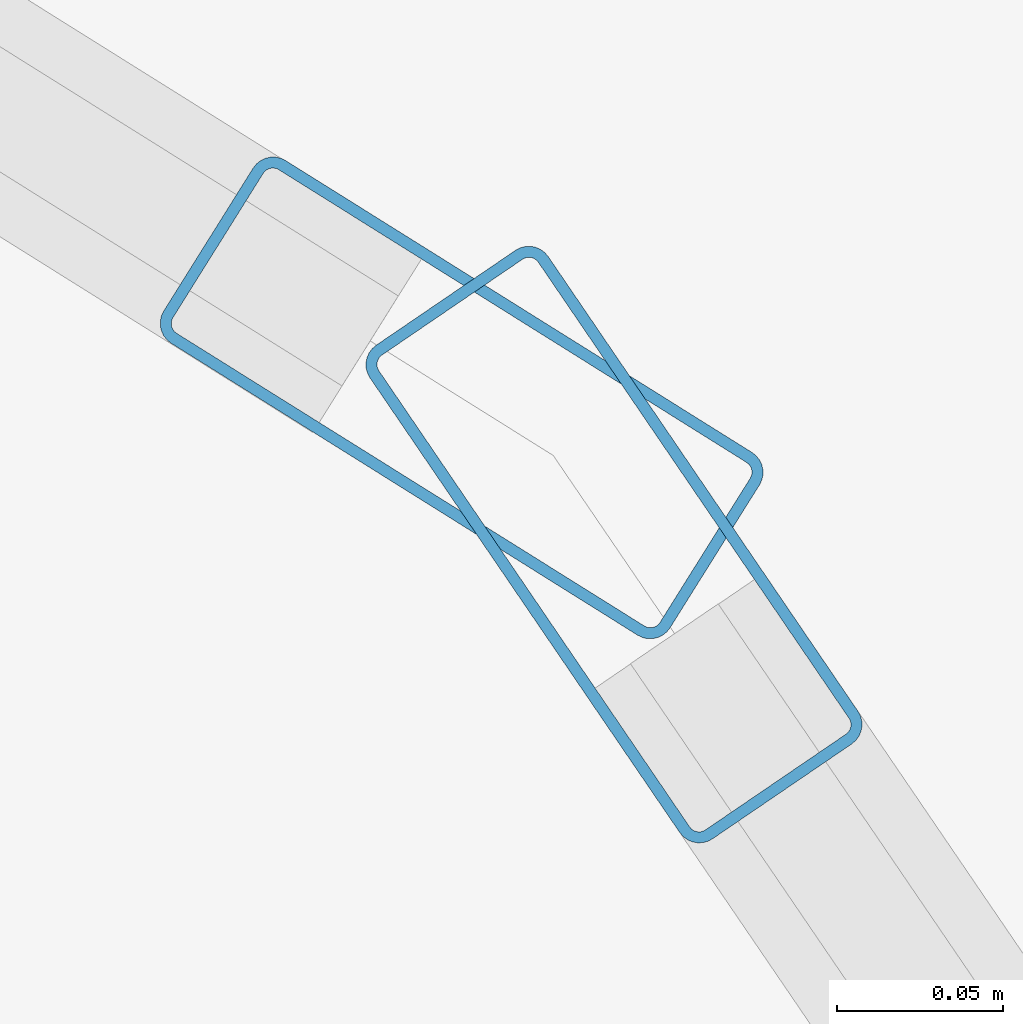
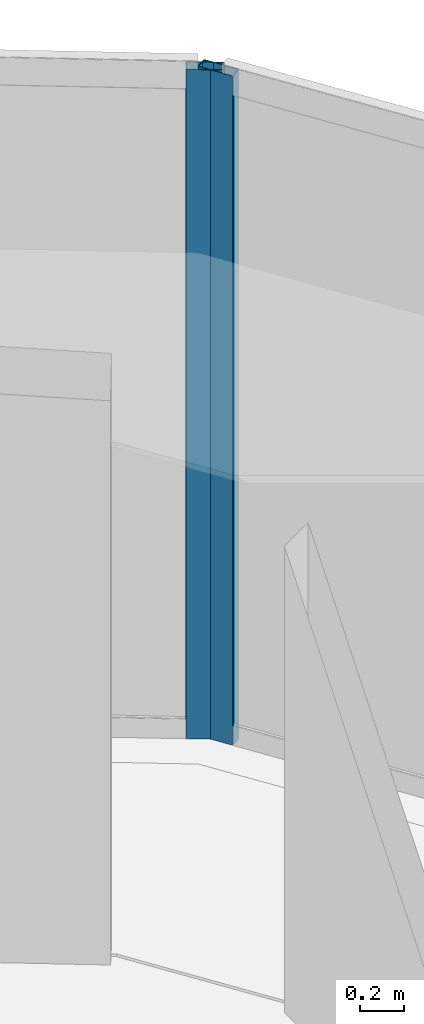
# One storey, part 21 of 34: 2 members, 2 elements without a shape of their own.
"""IFC4 building model written with IfcOpenShell, lengths in metres."""

import ifcopenshell
import ifcopenshell.guid

model = None  # the IFC model being written
_history = None  # IfcOwnerHistory: only IFC2X3 demands one
_inside = {}  # id of a spatial element -> (the spatial element, [elements in it])
_under = {}  # id of a project, library or spatial element -> (it, [spatial elements below it])
_declared = {}  # id of a project -> (the project, [libraries it declares])
_typed = {}  # id of a type object -> (the type object, [elements of that type])
_made_of = {}  # id of a material, layer set ... -> (it, [elements and type objects made of it])


def new_model(schema):
    """Start an empty IFC model of exactly this schema.

    Asked for "IFC4X3", IfcOpenShell would pick the latest addendum, in which some entities
    have other attributes; the version numbers below select the first issue.
    IFC2X3 requires an IfcOwnerHistory on every rooted entity: one is made here for all.
    """
    global model, _history
    if schema == "IFC4X3":
        model = ifcopenshell.file(schema_version=(4, 3, 0, 0))
    else:
        model = ifcopenshell.file(schema=schema)
    _inside.clear()
    _under.clear()
    _declared.clear()
    _typed.clear()
    _made_of.clear()
    _history = None
    if model.schema == "IFC2X3":
        org = make("IfcOrganization", Name="unknown")
        user = make(
            "IfcPersonAndOrganization",
            ThePerson=make("IfcPerson", FamilyName="unknown"),
            TheOrganization=org,
        )
        app = make(
            "IfcApplication",
            ApplicationDeveloper=org,
            Version="unknown",
            ApplicationFullName="unknown",
            ApplicationIdentifier="unknown",
        )
        _history = make(
            "IfcOwnerHistory",
            OwningUser=user,
            OwningApplication=app,
            ChangeAction="ADDED",
            CreationDate=0,
        )
    return model


def make(cls, **values):
    """One entity of the class cls with the attributes given. An attribute that is None is left unset."""
    return model.create_entity(
        cls, **{name: value for name, value in values.items() if value is not None}
    )


def rooted(cls, **values):
    """An entity with a GlobalId (a new one), such as an element, a storey or a relation."""
    return make(cls, GlobalId=ifcopenshell.guid.new(), OwnerHistory=_history, **values)


def si_unit(unit_type, name, prefix=None):
    """IfcSIUnit, for example si_unit("LENGTHUNIT", "METRE", prefix="MILLI")."""
    return make("IfcSIUnit", UnitType=unit_type, Prefix=prefix, Name=name)


def assignment(units):
    """IfcUnitAssignment: the units of a project."""
    return None if units is None else make("IfcUnitAssignment", Units=units)


def point(xyz):
    """IfcCartesianPoint."""
    return None if xyz is None else make("IfcCartesianPoint", Coordinates=xyz)


def direction(xyz):
    """IfcDirection."""
    return None if xyz is None else make("IfcDirection", DirectionRatios=xyz)


def frame(location, z_axis=None, x_axis=None):
    """IfcAxis2Placement3D, a coordinate frame: its origin and axes. An axis left out is left unset."""
    return make(
        "IfcAxis2Placement3D",
        Location=point(location),
        Axis=direction(z_axis),
        RefDirection=direction(x_axis),
    )


def frame_2d(location, x_axis=None):
    """IfcAxis2Placement2D, a coordinate frame in the plane: its origin and x axis."""
    return make(
        "IfcAxis2Placement2D", Location=point(location), RefDirection=direction(x_axis)
    )


def origin():
    """The frame at (0, 0, 0) with its axes left unset."""
    return frame((0.0, 0.0, 0.0))


def origin_2d():
    """The frame at (0, 0) in the plane with its x axis left unset."""
    return frame_2d((0.0, 0.0))


def place(relative_to, where):
    """IfcLocalPlacement: puts the frame where relative to a parent placement (None: the world)."""
    return make(
        "IfcLocalPlacement", PlacementRelTo=relative_to, RelativePlacement=where
    )


def context(
    kind, dimensions, precision=None, world=None, true_north=None, identifier=None
):
    """IfcGeometricRepresentationContext, for example the 3D "Model" context."""
    return make(
        "IfcGeometricRepresentationContext",
        ContextIdentifier=identifier,
        ContextType=kind,
        CoordinateSpaceDimension=dimensions,
        Precision=precision,
        WorldCoordinateSystem=world,
        TrueNorth=true_north,
    )


def subcontext(parent, identifier, kind, view, scale=None):
    """IfcGeometricRepresentationSubContext, for example "Body" below "Model"."""
    return make(
        "IfcGeometricRepresentationSubContext",
        ContextIdentifier=identifier,
        ContextType=kind,
        ParentContext=parent,
        TargetScale=scale,
        TargetView=view,
    )


def project(units=None, contexts=None):
    """IfcProject with its units and contexts."""
    return rooted(
        "IfcProject",
        Name="project",
        RepresentationContexts=contexts,
        UnitsInContext=assignment(units),
    )


def spatial(cls, under=None, at=None, **own):
    """A site, building, storey or space (cls), placed at a placement, below another one or the project."""
    s = rooted(cls, ObjectPlacement=at, **own)
    if under is not None:
        _under.setdefault(under.id(), (under, []))[1].append(s)
    return s


def profile(cls, at=None, kind="AREA", **sizes):
    """A parametric profile (cls). Its sizes go by their IFC names, for example OverallWidth=200.0."""
    return make(cls, ProfileType=kind, Position=at, **sizes)


def hollow_rectangle(**sizes):
    """IfcRectangleHollowProfileDef."""
    return profile("IfcRectangleHollowProfileDef", **sizes)


def extrude(swept, where, along, depth):
    """IfcExtrudedAreaSolid: the profile swept, set in the frame where, extruded along a direction by depth."""
    return make(
        "IfcExtrudedAreaSolid",
        SweptArea=swept,
        Position=where,
        ExtrudedDirection=direction(along),
        Depth=depth,
    )


def shape(context_of_items, identifier, shape_type, items):
    """IfcShapeRepresentation: the items that make up one representation, for example the "Body"."""
    return make(
        "IfcShapeRepresentation",
        ContextOfItems=context_of_items,
        RepresentationIdentifier=identifier,
        RepresentationType=shape_type,
        Items=items,
    )


def material(Name=None, Category=None):
    """IfcMaterial."""
    return make("IfcMaterial", Name=Name, Category=Category)


def layer(
    of_material, thickness, ventilated=None, Name=None, Category=None, Priority=None
):
    """IfcMaterialLayer: one layer of a wall or slab, of a material (None: an air gap)."""
    return make(
        "IfcMaterialLayer",
        Material=of_material,
        LayerThickness=thickness,
        IsVentilated=ventilated,
        Name=Name,
        Category=Category,
        Priority=Priority,
    )


def layer_set(layers, Name=None):
    """IfcMaterialLayerSet."""
    return make("IfcMaterialLayerSet", MaterialLayers=layers, LayerSetName=Name)


def material_profile(
    of_material, cross_section, Name=None, Category=None, Priority=None
):
    """IfcMaterialProfile: a cross section and its material."""
    return make(
        "IfcMaterialProfile",
        Name=Name,
        Material=of_material,
        Profile=cross_section,
        Priority=Priority,
        Category=Category,
    )


def profile_set(profiles, Name=None, composite=None):
    """IfcMaterialProfileSet."""
    return make(
        "IfcMaterialProfileSet",
        Name=Name,
        MaterialProfiles=profiles,
        CompositeProfile=composite,
    )


def made_of(thing, what):
    """Note that an element or type object is made of a material, layer set ...; save() writes the relation."""
    if what is not None:
        _made_of.setdefault(what.id(), (what, []))[1].append(thing)
    return thing


def type_object(cls, material=None, **own):
    """A type object (cls), such as IfcWallType, which elements share."""
    return made_of(rooted(cls, **own), material)


def element(
    cls,
    number,
    at=None,
    inside=None,
    cuts=None,
    type_object=None,
    material=None,
    context=None,
    identifier="Body",
    shape_type=None,
    held_by="IfcProductDefinitionShape",
    body=None,
    shapes=None,
    **own,
):
    """One element of the class cls, such as IfcWall. Its Tag is "e" and its number.

    at: its placement. inside: the storey or other place that contains it. cuts: it is an
    opening in that element (IfcRelVoidsElement). A single representation is given by context,
    identifier, shape_type and body (its items); several are given by shapes. held_by: the class
    of the entity that holds the representations. save() writes the other relations.
    """
    e = rooted(cls, Tag="e%d" % number, ObjectPlacement=at, **own)
    if body is not None:
        shapes = [shape(context, identifier, shape_type, body)]
    if shapes is not None:
        e.Representation = make(held_by, Representations=shapes)
    if inside is not None:
        _inside.setdefault(inside.id(), (inside, []))[1].append(e)
    if cuts is not None:
        rooted(
            "IfcRelVoidsElement", RelatingBuildingElement=cuts, RelatedOpeningElement=e
        )
    if type_object is not None:
        _typed.setdefault(type_object.id(), (type_object, []))[1].append(e)
    return made_of(e, material)


def aggregate(whole, parts):
    """IfcRelAggregates: a whole, such as a stair, and the parts it consists of."""
    return rooted("IfcRelAggregates", RelatingObject=whole, RelatedObjects=parts)


def save(model, path):
    """Write the relations noted so far, then the file.

    IfcRelAggregates (storeys below a building ...), IfcRelContainedInSpatialStructure (elements
    in a storey), IfcRelDefinesByType, IfcRelAssociatesMaterial and IfcRelDeclares: one each for
    every whole, place, type object, material and project.
    """
    for whole, parts in _under.values():
        aggregate(whole, parts)
    for where, things in _inside.values():
        rooted(
            "IfcRelContainedInSpatialStructure",
            RelatedElements=things,
            RelatingStructure=where,
        )
    for kind, things in _typed.values():
        rooted("IfcRelDefinesByType", RelatedObjects=things, RelatingType=kind)
    for what, things in _made_of.values():
        rooted("IfcRelAssociatesMaterial", RelatedObjects=things, RelatingMaterial=what)
    for by, libraries in _declared.values():
        rooted("IfcRelDeclares", RelatingContext=by, RelatedDefinitions=libraries)
    model.write(path)


model = new_model("IFC4")

# Units and contexts
model_context = context("Model", 3, precision=1e-05, world=origin(), true_north=direction((0.0, 1.0)))
body_context = subcontext(model_context, "Body", "Model", "MODEL_VIEW")
ifc_project = project(units=[si_unit("LENGTHUNIT", "METRE"), si_unit("AREAUNIT", "SQUARE_METRE"), si_unit("VOLUMEUNIT", "CUBIC_METRE"), si_unit("PLANEANGLEUNIT", "RADIAN"), si_unit("MASSUNIT", "GRAM", prefix="KILO")], contexts=[model_context])

# Site, building, storey
site_placement = place(None, origin())
site = spatial("IfcSite", under=ifc_project, at=site_placement, CompositionType="ELEMENT")
building_placement = place(site_placement, origin())
building = spatial("IfcBuilding", under=site, at=building_placement, Name="Qorvath Tower", CompositionType="ELEMENT")
storey_placement = place(building_placement, frame((0.0, 0.0, 245.550048828125)))
storey = spatial("IfcBuildingStorey", under=building, at=storey_placement, Name="L57", CompositionType="ELEMENT", Elevation=245.550048828125)

# Curtain wall, member
ifc_material_1 = material(Name="Anodised aluminium and triple low-E glass", Category="aluminium")
ifc_layer = layer(ifc_material_1, 0.179931640625)
ifc_layer_set = layer_set([ifc_layer], Name="CW-SYS-3")
curtain_wall_type = type_object("IfcCurtainWallType", Name="CW-SYS-3", PredefinedType="NOTDEFINED", material=ifc_layer_set)
curtain_wall_1_placement = place(storey_placement, origin())
curtain_wall_1 = element("IfcCurtainWall", 1, at=curtain_wall_1_placement, inside=storey, type_object=curtain_wall_type, Name="Curtain Wall CW-3 CW-T-L57-13.1", PredefinedType="NOTDEFINED")
ifc_material_2 = material(Name="Anodised aluminium 6063-T6", Category="aluminium")
ifc_material_profile = material_profile(ifc_material_2, hollow_rectangle(XDim=0.06494140625, YDim=0.179931640625, WallThickness=0.00341796875, InnerFilletRadius=0.00341796875, OuterFilletRadius=0.007080078125, at=origin_2d()), Name="CWM 180x65")
ifc_profile_set = profile_set([ifc_material_profile], Name="Anodised aluminium 6063-T6")
member_type = type_object("IfcMemberType", Name="CWM-180", PredefinedType="MULLION", material=ifc_profile_set)
member_1_placement = place(storey_placement, frame((-7.212646484375, 19.730712890625, 0.0), z_axis=(0.0, 0.0, 1.0), x_axis=(-0.826431361544, -0.563037480685, 0.0)))
member_1 = element("IfcMember", 2, at=member_1_placement, type_object=member_type, Name="CW-3 mullion 2", PredefinedType="MULLION", context=body_context, shape_type="SweptSolid", body=[
    extrude(hollow_rectangle(XDim=0.06494140625, YDim=0.179931640625, WallThickness=0.00341796875, InnerFilletRadius=0.00341796875, OuterFilletRadius=0.007080078125, at=origin_2d()), origin(), (0.0, 0.0, 1.0), 3.75),
])
aggregate(curtain_wall_1, [member_1])

curtain_wall_2_placement = place(storey_placement, origin())
curtain_wall_2 = element("IfcCurtainWall", 3, at=curtain_wall_2_placement, inside=storey, type_object=curtain_wall_type, Name="Curtain Wall CW-3 CW-T-L57-14.1", PredefinedType="NOTDEFINED")
member_2_placement = place(storey_placement, frame((-7.258544921875, 19.77490234375, 0.0), z_axis=(0.0, 0.0, 1.0), x_axis=(-0.530487138359, -0.847692984538, 0.0)))
member_2 = element("IfcMember", 4, at=member_2_placement, type_object=member_type, Name="CW-3 mullion 1", PredefinedType="MULLION", context=body_context, shape_type="SweptSolid", body=[
    extrude(hollow_rectangle(XDim=0.06494140625, YDim=0.179931640625, WallThickness=0.00341796875, InnerFilletRadius=0.00341796875, OuterFilletRadius=0.007080078125, at=origin_2d()), origin(), (0.0, 0.0, 1.0), 3.75),
])
aggregate(curtain_wall_2, [member_2])

save(model, "model.ifc")
